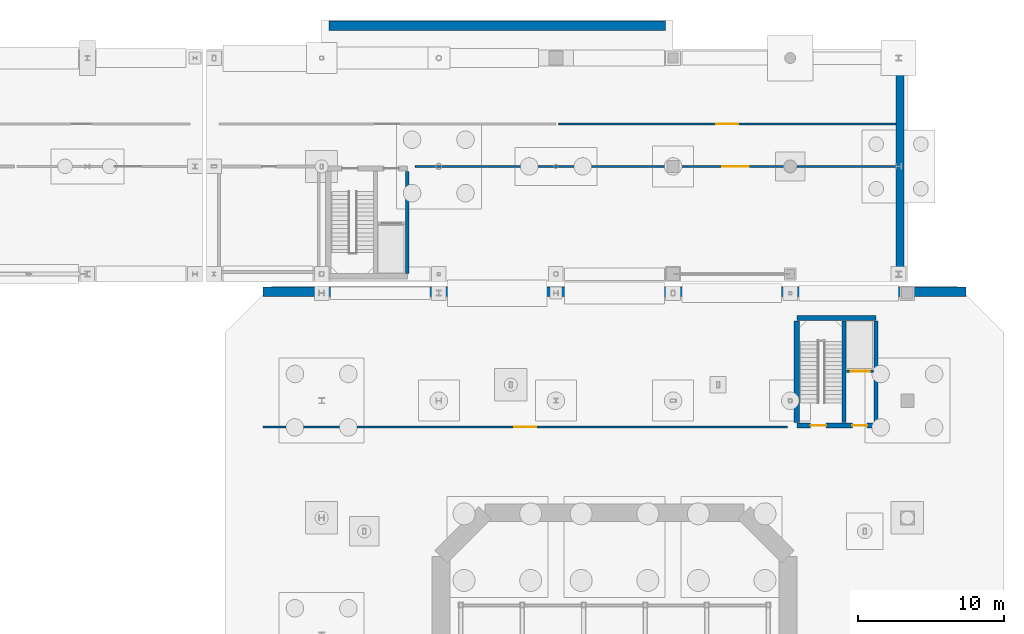
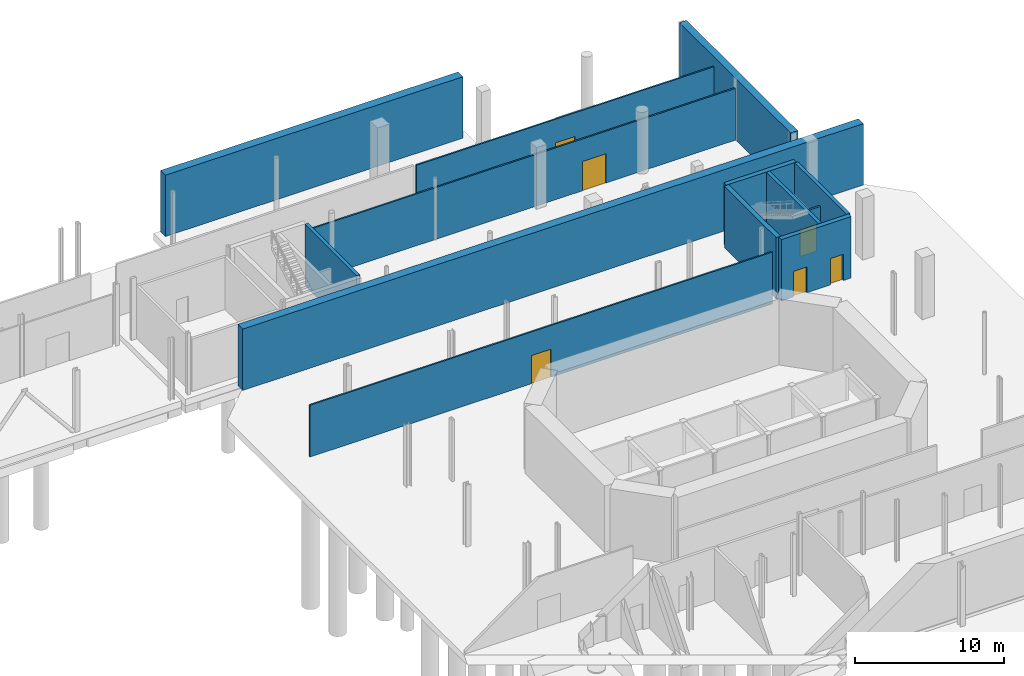
# One storey, part 23 of 33: 13 walls, 6 doors, 6 openings.
"""IFC4 building model written with IfcOpenShell, lengths in metres."""

from ifc_helpers import new_model, si_unit, direction, frame, frame_2d, origin, place, context, subcontext, project, spatial, rectangle, extrude, material, layer, layer_set, type_object, element, fill, save


model = new_model("IFC4")

# Units and contexts
model_context = context("Model", 3, precision=1e-05, world=origin(), true_north=direction((0.0, 1.0)))
body_context = subcontext(model_context, "Body", "Model", "MODEL_VIEW")
ifc_project = project(units=[si_unit("LENGTHUNIT", "METRE"), si_unit("AREAUNIT", "SQUARE_METRE"), si_unit("VOLUMEUNIT", "CUBIC_METRE"), si_unit("PLANEANGLEUNIT", "RADIAN"), si_unit("MASSUNIT", "GRAM", prefix="KILO")], contexts=[model_context])

# Site, building, storey
site_placement = place(None, origin())
site = spatial("IfcSite", under=ifc_project, at=site_placement, CompositionType="ELEMENT")
building_placement = place(site_placement, origin())
building = spatial("IfcBuilding", under=site, at=building_placement, Name="Brisemont Oceanarium", CompositionType="ELEMENT")
storey_placement = place(building_placement, frame((0.0, 0.0, -5.39990234375)))
storey = spatial("IfcBuildingStorey", under=building, at=storey_placement, Name="B01", CompositionType="ELEMENT", Elevation=-5.39990234375)

# Wall, opening, door
ifc_material_1 = material(Name="Moisture-Resistant Gypsum Steel-Stud Partition", Category="steel")
ifc_layer_1 = layer(ifc_material_1, 0.159912109375)
ifc_layer_set_1 = layer_set([ifc_layer_1], Name="Moisture-Resistant Gypsum Steel-Stud Partition")
wall_type_1 = type_object("IfcWallType", Name="IW-FB-160", PredefinedType="PARTITIONING", material=ifc_layer_set_1)
wall_1_placement = place(storey_placement, frame((99.85009765625, 74.02001953125, 0.0), z_axis=(0.0, 0.0, 1.0), x_axis=(1.0, 0.0, 0.0)))
wall_1 = element("IfcWall", 1, at=wall_1_placement, inside=storey, type_object=wall_type_1, Name="Core C2 B01 lift hoistway front wall", PredefinedType="PARTITIONING", context=body_context, shape_type="SweptSolid", body=[
    extrude(rectangle(XDim=1.83984375, YDim=0.159912109375, at=frame_2d((0.919921875, 0.0))), origin(), (0.0, 0.0, 1.0), 3.599853515625),
])
opening_1_placement = place(wall_1_placement, frame((0.27001953125, 0.0, 0.0)))
opening_1 = element("IfcOpeningElement", 2, at=opening_1_placement, cuts=wall_1, Name="Opening LD-02", PredefinedType="OPENING", context=body_context, shape_type="SweptSolid", body=[
    extrude(rectangle(XDim=1.300048828125, YDim=2.199951171875, at=frame_2d((0.64990234375, 1.10009765625))), frame((0.0, 0.08984375, 0.0), z_axis=(0.0, -1.0, 0.0), x_axis=(1.0, 0.0, 0.0)), (0.0, 0.0, 1.0), 0.179931640625),
])
ifc_material_2 = material(Name="Duplex Stainless Steel EN 1.4462", Category="steel")
door_type_1 = type_object("IfcDoorType", Name="DR-LIFT-1300X2200", OperationType="NOTDEFINED", PredefinedType="DOOR", material=ifc_material_2)
door_1_placement = place(opening_1_placement, origin())
door_1 = element("IfcDoor", 3, at=door_1_placement, inside=storey, type_object=door_type_1, Name="Lift landing door LF-02 B01", OperationType="SLIDING_TO_LEFT", OverallHeight=2.199951171875, OverallWidth=1.300048828125, PredefinedType="DOOR", context=body_context, shape_type="SweptSolid", body=[
    extrude(rectangle(XDim=1.300048828125, YDim=2.199951171875, at=frame_2d((0.64990234375, 1.10009765625))), frame((0.0, 0.02490234375, 0.0), z_axis=(0.0, -1.0, 0.0), x_axis=(1.0, 0.0, 0.0)), (0.0, 0.0, 1.0), 0.050048828125),
])
fill(opening_1, door_1)

ifc_material_3 = material(Name="Moisture-Resistant Gypsum Steel-Stud Partition", Category="steel")
ifc_layer_2 = layer(ifc_material_3, 0.1201171875)
ifc_layer_set_2 = layer_set([ifc_layer_2], Name="Moisture-Resistant Gypsum Steel-Stud Partition")
wall_type_2 = type_object("IfcWallType", Name="IW-PART-120", PredefinedType="PARTITIONING", material=ifc_layer_set_2)
wall_2_placement = place(storey_placement, frame((60.0, 70.199951171875, 0.0), z_axis=(0.0, 0.0, 1.0), x_axis=(1.0, 0.0, 0.0)))
wall_2 = element("IfcWall", 4, at=wall_2_placement, inside=storey, type_object=wall_type_2, Name="Ocean Tank Submersible Dive Operations corridor partition", PredefinedType="PARTITIONING", context=body_context, shape_type="SweptSolid", body=[
    extrude(rectangle(XDim=35.800048828125, YDim=0.1201171875, at=frame_2d((17.89990234375, 0.0))), origin(), (0.0, 0.0, 1.0), 4.23779296875),
])
opening_2_placement = place(wall_2_placement, frame((17.14990234375, 0.0, 0.0)))
opening_2 = element("IfcOpeningElement", 5, at=opening_2_placement, cuts=wall_2, Name="Opening GD-03", PredefinedType="OPENING", context=body_context, shape_type="SweptSolid", body=[
    extrude(rectangle(XDim=1.5, YDim=2.300048828125, at=frame_2d((0.75, 1.14990234375))), frame((0.0, 0.070068359375, 0.0), z_axis=(0.0, -1.0, 0.0), x_axis=(1.0, 0.0, 0.0)), (0.0, 0.0, 1.0), 0.14013671875),
])
ifc_material_4 = material(Name="Patinated Architectural Bronze C38500")
door_type_2 = type_object("IfcDoorType", Name="DR-GAL-1500X2300", OperationType="NOTDEFINED", PredefinedType="DOOR", material=ifc_material_4)
door_2_placement = place(opening_2_placement, origin())
door_2 = element("IfcDoor", 6, at=door_2_placement, inside=storey, type_object=door_type_2, Name="GD-03 door to Ocean Tank Submersible Dive Operations", OperationType="SINGLE_SWING_LEFT", OverallHeight=2.300048828125, OverallWidth=1.5, PredefinedType="DOOR", context=body_context, shape_type="SweptSolid", body=[
    extrude(rectangle(XDim=1.5, YDim=2.300048828125, at=frame_2d((0.75, 1.14990234375))), frame((0.0, 0.02490234375, 0.0), z_axis=(0.0, -1.0, 0.0), x_axis=(1.0, 0.0, 0.0)), (0.0, 0.0, 1.0), 0.050048828125),
])
fill(opening_2, door_2)

wall_3_placement = place(storey_placement, frame((70.39990234375, 88.0, 0.0), z_axis=(0.0, 0.0, 1.0), x_axis=(1.0, 0.0, 0.0)))
wall_3 = element("IfcWall", 7, at=wall_3_placement, inside=storey, type_object=wall_type_2, Name="Life Support Rapid Sand Filter Plant corridor partition", PredefinedType="PARTITIONING", context=body_context, shape_type="SweptSolid", body=[
    extrude(rectangle(XDim=32.800048828125, YDim=0.1201171875, at=frame_2d((16.39990234375, 0.0))), origin(), (0.0, 0.0, 1.0), 4.23779296875),
])
opening_3_placement = place(wall_3_placement, frame((20.96484375, 0.0, 0.0)))
opening_3 = element("IfcOpeningElement", 8, at=opening_3_placement, cuts=wall_3, Name="Opening GD-01", PredefinedType="OPENING", context=body_context, shape_type="SweptSolid", body=[
    extrude(rectangle(XDim=1.800048828125, YDim=2.39990234375, at=frame_2d((0.89990234375, 1.199951171875))), frame((0.0, 0.070068359375, 0.0), z_axis=(0.0, -1.0, 0.0), x_axis=(1.0, 0.0, 0.0)), (0.0, 0.0, 1.0), 0.14013671875),
])
ifc_material_5 = material(Name="Patinated Architectural Bronze C38500")
door_type_3 = type_object("IfcDoorType", Name="DR-GAL-1800X2400", OperationType="NOTDEFINED", PredefinedType="DOOR", material=ifc_material_5)
door_3_placement = place(opening_3_placement, origin())
door_3 = element("IfcDoor", 9, at=door_3_placement, inside=storey, type_object=door_type_3, Name="GD-01 door to Life Support Rapid Sand Filter Plant", OperationType="SINGLE_SWING_RIGHT", OverallHeight=2.39990234375, OverallWidth=1.800048828125, PredefinedType="DOOR", context=body_context, shape_type="SweptSolid", body=[
    extrude(rectangle(XDim=1.800048828125, YDim=2.39990234375, at=frame_2d((0.89990234375, 1.199951171875))), frame((0.0, 0.02490234375, 0.0), z_axis=(0.0, -1.0, 0.0), x_axis=(1.0, 0.0, 0.0)), (0.0, 0.0, 1.0), 0.050048828125),
])
fill(opening_3, door_3)

wall_4_placement = place(storey_placement, frame((80.199951171875, 90.89990234375, 0.0), z_axis=(0.0, 0.0, 1.0), x_axis=(1.0, 0.0, 0.0)))
wall_4 = element("IfcWall", 10, at=wall_4_placement, inside=storey, type_object=wall_type_2, Name="Life Support Biological Filter Plant corridor partition", PredefinedType="PARTITIONING", context=body_context, shape_type="SweptSolid", body=[
    extrude(rectangle(XDim=23.0, YDim=0.1201171875, at=frame_2d((11.5, 0.0))), origin(), (0.0, 0.0, 1.0), 4.23779296875),
])
opening_4_placement = place(wall_4_placement, frame((10.75, 0.0, 0.0)))
opening_4 = element("IfcOpeningElement", 11, at=opening_4_placement, cuts=wall_4, Name="Opening GD-03", PredefinedType="OPENING", context=body_context, shape_type="SweptSolid", body=[
    extrude(rectangle(XDim=1.5, YDim=2.300048828125, at=frame_2d((0.75, 1.14990234375))), frame((0.0, 0.070068359375, 0.0), z_axis=(0.0, -1.0, 0.0), x_axis=(1.0, 0.0, 0.0)), (0.0, 0.0, 1.0), 0.14013671875),
])
door_4_placement = place(opening_4_placement, origin())
door_4 = element("IfcDoor", 12, at=door_4_placement, inside=storey, type_object=door_type_2, Name="GD-03 door to Life Support Biological Filter Plant", OperationType="SINGLE_SWING_RIGHT", OverallHeight=2.300048828125, OverallWidth=1.5, PredefinedType="DOOR", context=body_context, shape_type="SweptSolid", body=[
    extrude(rectangle(XDim=1.5, YDim=2.300048828125, at=frame_2d((0.75, 1.14990234375))), frame((0.0, 0.02490234375, 0.0), z_axis=(0.0, -1.0, 0.0), x_axis=(1.0, 0.0, 0.0)), (0.0, 0.0, 1.0), 0.050048828125),
])
fill(opening_4, door_4)

# Walls
ifc_material_6 = material(Name="Concrete C40/50", Category="concrete")
ifc_layer_3 = layer(ifc_material_6, 0.550048828125)
ifc_layer_set_3 = layer_set([ifc_layer_3], Name="Concrete C40/50")
wall_type_3 = type_object("IfcWallType", Name="SW-RET-550", PredefinedType="USERDEFINED", material=ifc_layer_set_3)
wall_5_placement = place(storey_placement, frame((103.5, 80.60009765625, 0.0), z_axis=(0.0, 0.0, 1.0), x_axis=(0.0, 1.0, 0.0)))
element("IfcWall", 13, at=wall_5_placement, inside=storey, type_object=wall_type_3, Name="Hillside RC retaining wall RET-V7E-E", ObjectType="RETAINING_WALL", PredefinedType="USERDEFINED", context=body_context, shape_type="SweptSolid", body=[
    extrude(rectangle(XDim=14.89990234375, YDim=0.550048828125, at=frame_2d((7.449951171875, 0.0))), origin(), (0.0, 0.0, 1.0), 5.02001953125),
])
ifc_material_7 = material(Name="Concrete C40/50", Category="concrete")
ifc_layer_4 = layer(ifc_material_7, 0.64990234375)
ifc_layer_set_4 = layer_set([ifc_layer_4], Name="Concrete C40/50")
wall_type_4 = type_object("IfcWallType", Name="SW-RET-650", PredefinedType="USERDEFINED", material=ifc_layer_set_4)
wall_6_placement = place(storey_placement, frame((60.0, 79.449951171875, 0.0), z_axis=(0.0, 0.0, 1.0), x_axis=(1.0, 0.0, 0.0)))
element("IfcWall", 14, at=wall_6_placement, inside=storey, type_object=wall_type_4, Name="Hillside RC retaining wall RET-V1-N", ObjectType="RETAINING_WALL", PredefinedType="USERDEFINED", context=body_context, shape_type="SweptSolid", body=[
    extrude(rectangle(XDim=48.0, YDim=0.64990234375, at=frame_2d((24.0, 0.0))), origin(), (0.0, 0.0, 1.0), 5.02001953125),
])
wall_7_placement = place(storey_placement, frame((64.5, 97.60009765625, 0.0), z_axis=(0.0, 0.0, 1.0), x_axis=(1.0, 0.0, 0.0)))
element("IfcWall", 15, at=wall_7_placement, inside=storey, type_object=wall_type_4, Name="Hillside RC retaining wall RET-V7E-N", ObjectType="RETAINING_WALL", PredefinedType="USERDEFINED", context=body_context, shape_type="SweptSolid", body=[
    extrude(rectangle(XDim=23.0, YDim=0.64990234375, at=frame_2d((11.5, 0.0))), origin(), (0.0, 0.0, 1.0), 5.02001953125),
])
ifc_material_8 = material(Name="Concrete C40/50", Category="concrete")
ifc_layer_5 = layer(ifc_material_8, 0.260009765625)
ifc_layer_set_5 = layer_set([ifc_layer_5], Name="Concrete C40/50")
wall_type_5 = type_object("IfcWallType", Name="SW-SHAFT-260", PredefinedType="SHEAR", material=ifc_layer_set_5)
for number, where, z_axis, x_axis, name in (
    (16, (101.85009765625, 70.5, 0.0), (0.0, 0.0, 1.0), (0.0, 1.0, 0.0), "Core C2 B01 E RC shear wall"),
    (17, (99.669921875, 70.5, 0.0), (0.0, 0.0, 1.0), (0.0, 1.0, 0.0), "Core C2 B01 MID RC shear wall"),
    (18, (69.85009765625, 80.699951171875, 0.0), (0.0, 0.0, 1.0), (0.0, 1.0, 0.0), "Core C8 B01 E RC shear wall"),
):
    element("IfcWall", number, at=place(storey_placement, frame(where, z_axis=z_axis, x_axis=x_axis)), inside=storey, type_object=wall_type_5, Name=name, PredefinedType="SHEAR", context=body_context, shape_type="SweptSolid", body=[
        extrude(rectangle(XDim=6.949951171875, YDim=0.260009765625, at=frame_2d((3.47509765625, 0.0))), origin(), (0.0, 0.0, 1.0), 5.02978515625),
    ])

# Wall, openings, doors
ifc_material_9 = material(Name="Concrete C40/50", Category="concrete")
ifc_layer_6 = layer(ifc_material_9, 0.35009765625)
ifc_layer_set_6 = layer_set([ifc_layer_6], Name="Concrete C40/50")
wall_type_6 = type_object("IfcWallType", Name="SW-STAIR-350", PredefinedType="SHEAR", material=ifc_layer_set_6)
wall_8_placement = place(storey_placement, frame((96.449951171875, 70.300048828125, 0.0), z_axis=(0.0, 0.0, 1.0), x_axis=(1.0, 0.0, 0.0)))
wall_8 = element("IfcWall", 19, at=wall_8_placement, inside=storey, type_object=wall_type_6, Name="Core C2 B01 corridor RC shear wall", PredefinedType="SHEAR", context=body_context, shape_type="SweptSolid", body=[
    extrude(rectangle(XDim=5.400146484375, YDim=0.35009765625, at=frame_2d((2.7001953125, 0.0))), origin(), (0.0, 0.0, 1.0), 5.02978515625),
])
opening_5_placement = place(wall_8_placement, frame((0.949951171875, 0.0, 0.0)))
opening_5 = element("IfcOpeningElement", 20, at=opening_5_placement, cuts=wall_8, Name="Opening SD-02", PredefinedType="OPENING", context=body_context, shape_type="SweptSolid", body=[
    extrude(rectangle(XDim=1.050048828125, YDim=2.10009765625, at=frame_2d((0.52490234375, 1.050048828125))), frame((0.0, 0.18505859375, 0.0), z_axis=(0.0, -1.0, 0.0), x_axis=(1.0, 0.0, 0.0)), (0.0, 0.0, 1.0), 0.3701171875),
])
opening_6_placement = place(wall_8_placement, frame((3.800048828125, 0.0, 0.0)))
opening_6 = element("IfcOpeningElement", 21, at=opening_6_placement, cuts=wall_8, Name="Opening FD90-2", PredefinedType="OPENING", context=body_context, shape_type="SweptSolid", body=[
    extrude(rectangle(XDim=1.0, YDim=2.14990234375, at=frame_2d((0.5, 1.074951171875))), frame((0.0, 0.18505859375, 0.0), z_axis=(0.0, -1.0, 0.0), x_axis=(1.0, 0.0, 0.0)), (0.0, 0.0, 1.0), 0.3701171875),
])
ifc_material_10 = material(Name="FSC White Oak Solid-Core Fire Door")
door_type_4 = type_object("IfcDoorType", Name="DR-LOB-1000X2150", OperationType="NOTDEFINED", PredefinedType="DOOR", material=ifc_material_10)
door_5_placement = place(opening_6_placement, origin())
door_5 = element("IfcDoor", 22, at=door_5_placement, inside=storey, type_object=door_type_4, Name="Lift lobby door C2 B01", OperationType="SINGLE_SWING_LEFT", OverallHeight=2.14990234375, OverallWidth=1.0, PredefinedType="DOOR", context=body_context, shape_type="SweptSolid", body=[
    extrude(rectangle(XDim=1.0, YDim=2.14990234375, at=frame_2d((0.5, 1.074951171875))), frame((0.0, 0.02490234375, 0.0), z_axis=(0.0, -1.0, 0.0), x_axis=(1.0, 0.0, 0.0)), (0.0, 0.0, 1.0), 0.050048828125),
])
fill(opening_6, door_5)
ifc_material_11 = material(Name="Duplex Stainless Steel EN 1.4462", Category="steel")
door_type_5 = type_object("IfcDoorType", Name="DR-STAIR-1050X2100", OperationType="NOTDEFINED", PredefinedType="DOOR", material=ifc_material_11)
door_6_placement = place(opening_5_placement, origin())
door_6 = element("IfcDoor", 23, at=door_6_placement, inside=storey, type_object=door_type_5, Name="Exit stair door ST-02 B01", OperationType="SINGLE_SWING_RIGHT", OverallHeight=2.10009765625, OverallWidth=1.050048828125, PredefinedType="DOOR", context=body_context, shape_type="SweptSolid", body=[
    extrude(rectangle(XDim=1.050048828125, YDim=2.10009765625, at=frame_2d((0.52490234375, 1.050048828125))), frame((0.0, 0.02490234375, 0.0), z_axis=(0.0, -1.0, 0.0), x_axis=(1.0, 0.0, 0.0)), (0.0, 0.0, 1.0), 0.050048828125),
])
fill(opening_5, door_6)

# Walls
wall_9_placement = place(storey_placement, frame((96.449951171875, 77.64990234375, 0.0), z_axis=(0.0, 0.0, 1.0), x_axis=(1.0, 0.0, 0.0)))
element("IfcWall", 24, at=wall_9_placement, inside=storey, type_object=wall_type_6, Name="Core C2 B01 BCK RC shear wall", PredefinedType="SHEAR", context=body_context, shape_type="SweptSolid", body=[
    extrude(rectangle(XDim=5.400146484375, YDim=0.35009765625, at=frame_2d((2.7001953125, 0.0))), origin(), (0.0, 0.0, 1.0), 5.02978515625),
])
wall_10_placement = place(storey_placement, frame((96.449951171875, 70.5, 0.0), z_axis=(0.0, 0.0, 1.0), x_axis=(0.0, 1.0, 0.0)))
element("IfcWall", 25, at=wall_10_placement, inside=storey, type_object=wall_type_6, Name="Core C2 B01 W RC shear wall", PredefinedType="SHEAR", context=body_context, shape_type="SweptSolid", body=[
    extrude(rectangle(XDim=6.949951171875, YDim=0.35009765625, at=frame_2d((3.47509765625, 0.0))), origin(), (0.0, 0.0, 1.0), 5.02978515625),
])

save(model, "model.ifc")
